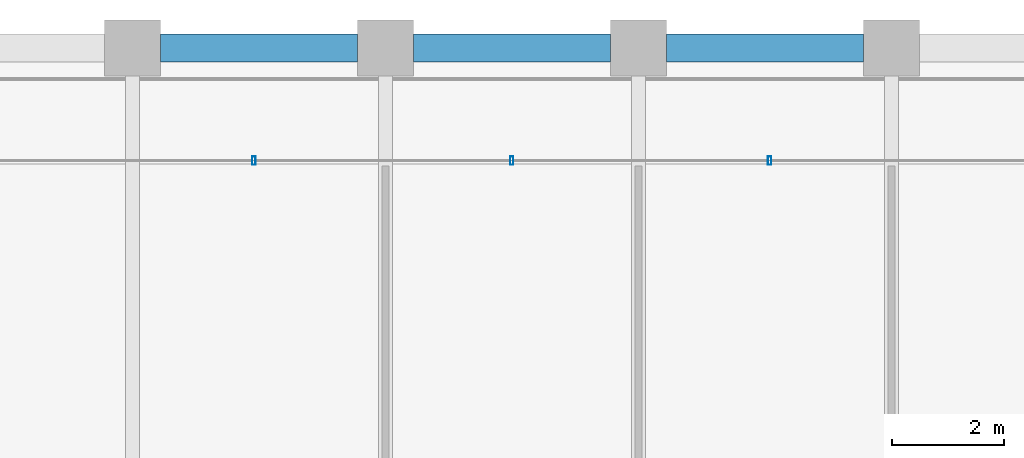
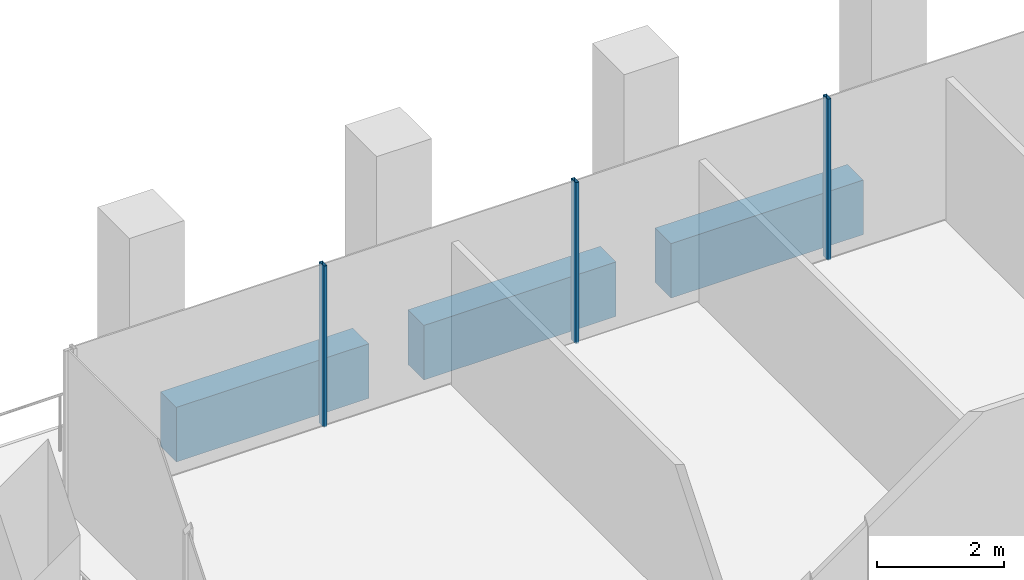
# One storey, part 23 of 47: 3 beams, 3 members, 1 element without a shape of its own.
"""IFC4 building model written with IfcOpenShell, lengths in metres."""

from ifc_helpers import new_model, si_unit, direction, frame, origin, origin_2d, place, context, subcontext, project, spatial, rectangle, hollow_rectangle, extrude, material, material_profile, profile_set, type_object, element, aggregate, save


model = new_model("IFC4")

# Units and contexts
model_context = context("Model", 3, precision=1e-05, world=origin(), true_north=direction((0.0, 1.0)))
body_context = subcontext(model_context, "Body", "Model", "MODEL_VIEW")
ifc_project = project(units=[si_unit("LENGTHUNIT", "METRE"), si_unit("AREAUNIT", "SQUARE_METRE"), si_unit("VOLUMEUNIT", "CUBIC_METRE"), si_unit("PLANEANGLEUNIT", "RADIAN"), si_unit("MASSUNIT", "GRAM", prefix="KILO")], contexts=[model_context])

# Site, building, storey
site_placement = place(None, origin())
site = spatial("IfcSite", under=ifc_project, at=site_placement, CompositionType="ELEMENT")
building_placement = place(site_placement, origin())
building = spatial("IfcBuilding", under=site, at=building_placement, Name="Altepetl Exchange Towers", CompositionType="ELEMENT")
storey_placement = place(building_placement, frame((0.0, 0.0, 95.60009765625)))
storey = spatial("IfcBuildingStorey", under=building, at=storey_placement, Name="L23", CompositionType="ELEMENT", Elevation=95.60009765625)

# Curtain wall, members
ifc_material_1 = material(Name="Aluminium 6063-T6 glazing", Category="aluminium")
curtain_wall_type = type_object("IfcCurtainWallType", Name="Loggia glazing system", PredefinedType="NOTDEFINED", material=ifc_material_1)
curtain_wall_placement = place(storey_placement, origin())
curtain_wall = element("IfcCurtainWall", 1, at=curtain_wall_placement, inside=storey, type_object=curtain_wall_type, Name="CW1 run", PredefinedType="NOTDEFINED")
ifc_material_2 = material(Name="Aluminium 6063-T6", Category="aluminium")
ifc_material_profile_1 = material_profile(ifc_material_2, hollow_rectangle(XDim=0.06005859375, YDim=0.14990234375, WallThickness=0.0029296875, at=origin_2d()), Name="Mullion 60x150 aluminium")
ifc_profile_set_1 = profile_set([ifc_material_profile_1], Name="Aluminium 6063-T6")
member_type = type_object("IfcMemberType", Name="Mullion 60x150 aluminium", PredefinedType="MULLION", material=ifc_profile_set_1)
member_1_placement = place(storey_placement, frame((56.330078125, 70.0, 0.0), z_axis=(0.0, 0.0, 1.0), x_axis=(-1.0, 0.0, 0.0)))
member_1 = element("IfcMember", 2, at=member_1_placement, type_object=member_type, Name="MU1 mullion", PredefinedType="MULLION", context=body_context, shape_type="SweptSolid", body=[
    extrude(hollow_rectangle(XDim=0.06005859375, YDim=0.14990234375, WallThickness=0.0029296875, at=origin_2d()), origin(), (0.0, 0.0, 1.0), 3.099853515625),
])
member_2_placement = place(storey_placement, frame((51.7451171875, 70.0, 0.0), z_axis=(0.0, 0.0, 1.0), x_axis=(-1.0, 0.0, 0.0)))
member_2 = element("IfcMember", 3, at=member_2_placement, type_object=member_type, Name="MU1 mullion", PredefinedType="MULLION", context=body_context, shape_type="SweptSolid", body=[
    extrude(hollow_rectangle(XDim=0.06005859375, YDim=0.14990234375, WallThickness=0.0029296875, at=origin_2d()), origin(), (0.0, 0.0, 1.0), 3.099853515625),
])
member_3_placement = place(storey_placement, frame((47.159912109375, 70.0, 0.0), z_axis=(0.0, 0.0, 1.0), x_axis=(-1.0, 0.0, 0.0)))
member_3 = element("IfcMember", 4, at=member_3_placement, type_object=member_type, Name="MU1 mullion", PredefinedType="MULLION", context=body_context, shape_type="SweptSolid", body=[
    extrude(hollow_rectangle(XDim=0.06005859375, YDim=0.14990234375, WallThickness=0.0029296875, at=origin_2d()), origin(), (0.0, 0.0, 1.0), 3.099853515625),
])
aggregate(curtain_wall, [member_1, member_2, member_3])

# Beams
ifc_material_3 = material(Name="Concrete C50/60 precast with cantera rosa facing", Category="concrete")
ifc_material_profile_2 = material_profile(ifc_material_3, rectangle(XDim=0.5, YDim=1.050048828125, at=origin_2d()), Name="500 x 1050")
ifc_profile_set_2 = profile_set([ifc_material_profile_2], Name="Concrete C50/60 precast with cantera rosa facing")
beam_type = type_object("IfcBeamType", Name="Spandrel beam 500x1050 cantera rosa", PredefinedType="SPANDREL", material=ifc_profile_set_2)
for number, where, z_axis, x_axis, name in (
    (5, (58.0, 72.0, -0.675048828125), (-1.0, 0.0, 0.0), (0.0, -1.0, 0.0), "sp:A:L23:026"),
    (6, (53.5, 72.0, -0.675048828125), (-1.0, 0.0, 0.0), (0.0, -1.0, 0.0), "sp:A:L23:027"),
    (7, (49.0, 72.0, -0.675048828125), (-1.0, 0.0, 0.0), (0.0, -1.0, 0.0), "sp:A:L23:028"),
):
    element("IfcBeam", number, at=place(storey_placement, frame(where, z_axis=z_axis, x_axis=x_axis)), inside=storey, type_object=beam_type, Name=name, PredefinedType="SPANDREL", context=body_context, shape_type="SweptSolid", body=[
        extrude(rectangle(XDim=0.5, YDim=1.050048828125, at=origin_2d()), origin(), (0.0, 0.0, 1.0), 3.5),
    ])

save(model, "model.ifc")
